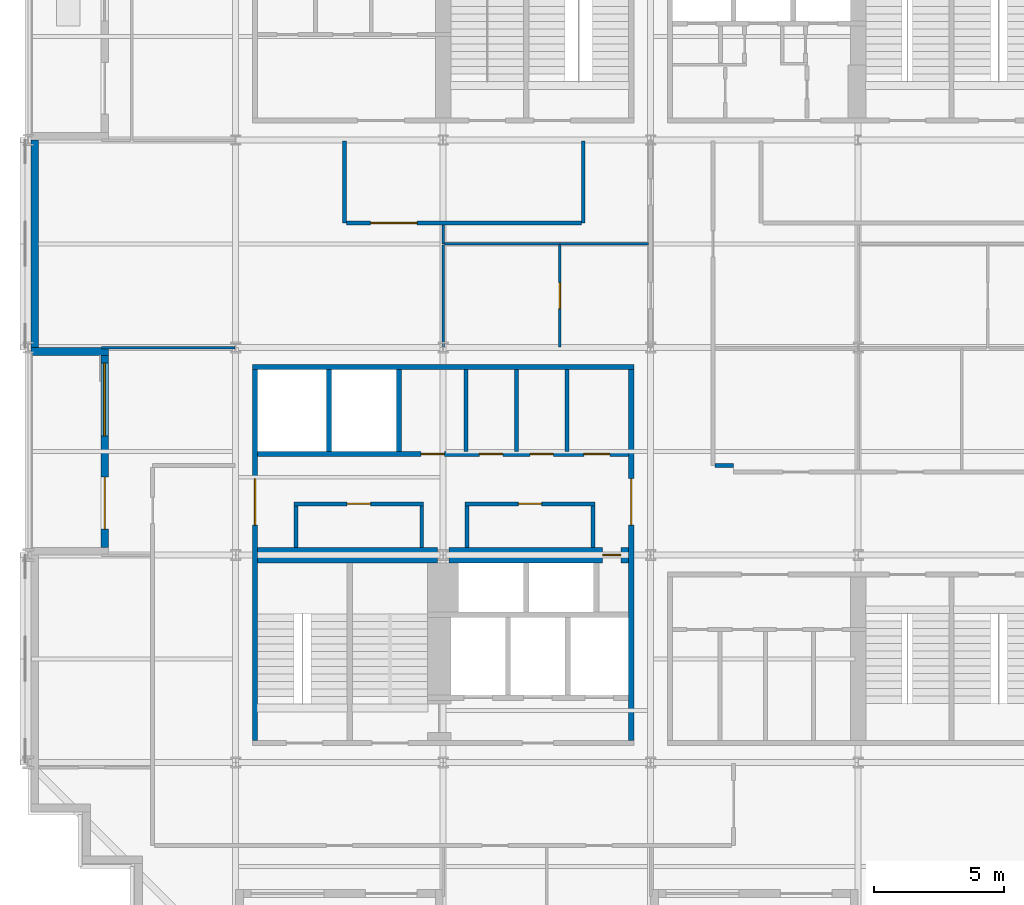
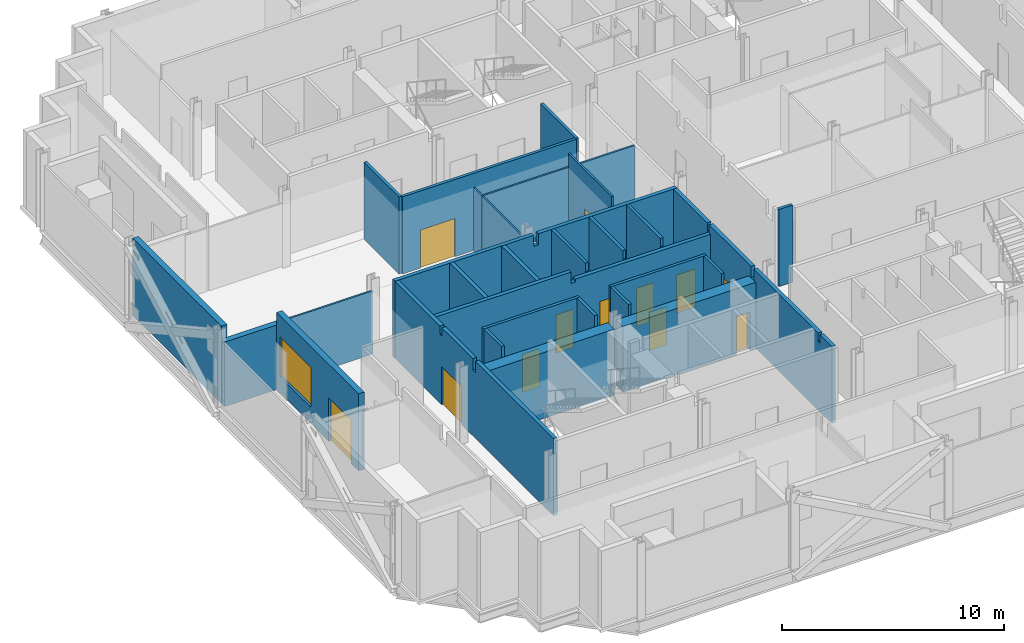
# One storey, part 7 of 15: 30 walls, 12 doors, 1 window, 13 openings.
"""IFC4 building model written with IfcOpenShell, lengths in metres."""

from ifc_helpers import new_model, si_unit, direction, frame, frame_2d, origin, place, context, subcontext, project, spatial, polyline, rectangle, outline, extrude, material, layer, layer_set, type_object, element, fill, save


model = new_model("IFC4")

# Units and contexts
model_context = context("Model", 3, precision=1e-05, world=origin(), true_north=direction((0.0, 1.0)))
body_context = subcontext(model_context, "Body", "Model", "MODEL_VIEW")
ifc_project = project(units=[si_unit("LENGTHUNIT", "METRE"), si_unit("AREAUNIT", "SQUARE_METRE"), si_unit("VOLUMEUNIT", "CUBIC_METRE"), si_unit("PLANEANGLEUNIT", "RADIAN"), si_unit("MASSUNIT", "GRAM", prefix="KILO")], contexts=[model_context])

# Site, building, storey
site_placement = place(None, origin())
site = spatial("IfcSite", under=ifc_project, at=site_placement, CompositionType="ELEMENT")
building_placement = place(site_placement, origin())
building = spatial("IfcBuilding", under=site, at=building_placement, Name="Immortelle Media Tower", CompositionType="ELEMENT")
storey_placement = place(building_placement, frame((0.0, 0.0, 87.60009765625)))
storey = spatial("IfcBuildingStorey", under=building, at=storey_placement, Name="L16", CompositionType="ELEMENT", Elevation=87.60009765625)

# Wall, opening, door
ifc_material_1 = material(Name="Fire-rated masonry blockwork", Category="masonry")
ifc_layer_1 = layer(ifc_material_1, 0.60009765625)
ifc_layer_set_1 = layer_set([ifc_layer_1], Name="Fire-rated masonry blockwork")
wall_type_1 = type_object("IfcWallType", Name="Core grid-line wall 600", PredefinedType="PARTITIONING", material=ifc_layer_set_1)
wall_1_placement = place(storey_placement, frame((16.218505859375, 16.0, 0.0), z_axis=(0.0, 0.0, 1.0), x_axis=(1.0, 0.0, 0.0)))
wall_1 = element("IfcWall", 1, at=wall_1_placement, inside=storey, type_object=wall_type_1, Name="Core grid-line wall SW", PredefinedType="PARTITIONING", context=body_context, shape_type="SweptSolid", body=[
    extrude(rectangle(XDim=6.931396484375, YDim=0.60009765625, at=frame_2d((3.4658203125, 0.0))), origin(), (0.0, 0.0, 1.0), 3.6318359375),
])
opening_1_placement = place(wall_1_placement, frame((6.63134765625, 0.0, 0.0), z_axis=(0.0, 0.0, 1.0), x_axis=(-1.0, 0.0, 0.0)))
opening_1 = element("IfcOpeningElement", 2, at=opening_1_placement, cuts=wall_1, Name="Opening N5-K015", PredefinedType="OPENING", context=body_context, shape_type="SweptSolid", body=[
    extrude(rectangle(XDim=0.699951171875, YDim=2.10009765625, at=frame_2d((0.35009765625, 1.050048828125))), frame((0.0, 0.31005859375, 0.0), z_axis=(0.0, -1.0, 0.0), x_axis=(1.0, 0.0, 0.0)), (0.0, 0.0, 1.0), 0.6201171875),
])
ifc_material_2 = material(Name="Galvanised steel door leaf and frame ASTM A653", Category="steel")
door_type_1 = type_object("IfcDoorType", Name="Service door 700 x 2100", OperationType="NOTDEFINED", PredefinedType="NOTDEFINED", material=ifc_material_2)
door_1_placement = place(opening_1_placement, origin())
door_1 = element("IfcDoor", 3, at=door_1_placement, inside=storey, type_object=door_type_1, Name="Service N5-K015", OperationType="SINGLE_SWING_LEFT", OverallHeight=2.10009765625, OverallWidth=0.699951171875, PredefinedType="NOTDEFINED", context=body_context, shape_type="SweptSolid", body=[
    extrude(rectangle(XDim=0.699951171875, YDim=2.10009765625, at=frame_2d((0.35009765625, 1.050048828125))), frame((0.0, 0.02490234375, 0.0), z_axis=(0.0, -1.0, 0.0), x_axis=(1.0, 0.0, 0.0)), (0.0, 0.0, 1.0), 0.050048828125),
])
fill(opening_1, door_1)

# Wall
ifc_material_3 = material(Name="Fire-rated gypsum board", Category="gypsum")
ifc_layer_2 = layer(ifc_material_3, 0.02490234375)
ifc_material_4 = material(Name="Steel ASTM A653 SS Gr 50 stud frame with mineral wool", Category="steel")
ifc_layer_3 = layer(ifc_material_4, 0.10009765625)
ifc_layer_4 = layer(ifc_material_3, 0.02490234375)
ifc_layer_set_2 = layer_set([ifc_layer_2, ifc_layer_3, ifc_layer_4], Name="Steel ASTM A653 SS Gr 50 stud frame with mineral wool")
wall_type_2 = type_object("IfcWallType", Name="Core partition 150", PredefinedType="PARTITIONING", material=ifc_layer_set_2)
wall_2_placement = place(storey_placement, frame((10.324951171875, 16.300048828125, 0.0), z_axis=(0.0, 0.0, 1.0), x_axis=(0.0, 1.0, 0.0)))
element("IfcWall", 4, at=wall_2_placement, inside=storey, type_object=wall_type_2, Name="Core partition SW", PredefinedType="PARTITIONING", context=body_context, shape_type="SweptSolid", body=[
    extrude(rectangle(XDim=1.599853515625, YDim=0.14990234375, at=frame_2d((0.7998046875, 0.0))), origin(), (0.0, 0.0, 1.0), 4.25),
])

# Wall, opening, door
wall_3_placement = place(storey_placement, frame((10.25, 17.97509765625, 0.0), z_axis=(0.0, 0.0, 1.0), x_axis=(1.0, 0.0, 0.0)))
wall_3 = element("IfcWall", 5, at=wall_3_placement, inside=storey, type_object=wall_type_2, Name="Core partition SW", PredefinedType="PARTITIONING", context=body_context, shape_type="SweptSolid", body=[
    extrude(rectangle(XDim=5.0, YDim=0.14990234375, at=frame_2d((2.5, 0.0))), origin(), (0.0, 0.0, 1.0), 4.25),
])
opening_2_placement = place(wall_3_placement, frame((2.949951171875, 0.0, 0.0), z_axis=(0.0, 0.0, 1.0), x_axis=(-1.0, 0.0, 0.0)))
opening_2 = element("IfcOpeningElement", 6, at=opening_2_placement, cuts=wall_3, Name="Opening N5-K003", PredefinedType="OPENING", context=body_context, shape_type="SweptSolid", body=[
    extrude(rectangle(XDim=0.89990234375, YDim=2.10009765625, at=frame_2d((0.449951171875, 1.050048828125))), frame((0.0, 0.0849609375, 0.0), z_axis=(0.0, -1.0, 0.0), x_axis=(1.0, 0.0, 0.0)), (0.0, 0.0, 1.0), 0.169921875),
])
ifc_material_5 = material(Name="Timber", Category="wood")
door_type_2 = type_object("IfcDoorType", Name="Room door 900 x 2100", OperationType="NOTDEFINED", PredefinedType="NOTDEFINED", material=ifc_material_5)
door_2_placement = place(opening_2_placement, origin())
door_2 = element("IfcDoor", 7, at=door_2_placement, inside=storey, type_object=door_type_2, Name="Room N5-K003", OperationType="SINGLE_SWING_LEFT", OverallHeight=2.10009765625, OverallWidth=0.89990234375, PredefinedType="NOTDEFINED", context=body_context, shape_type="SweptSolid", body=[
    extrude(rectangle(XDim=0.89990234375, YDim=2.10009765625, at=frame_2d((0.449951171875, 1.050048828125))), frame((0.0, 0.02490234375, 0.0), z_axis=(0.0, -1.0, 0.0), x_axis=(1.0, 0.0, 0.0)), (0.0, 0.0, 1.0), 0.050048828125),
])
fill(opening_2, door_2)

# Walls
wall_4_placement = place(storey_placement, frame((15.175048828125, 16.300048828125, 0.0), z_axis=(0.0, 0.0, 1.0), x_axis=(0.0, 1.0, 0.0)))
element("IfcWall", 8, at=wall_4_placement, inside=storey, type_object=wall_type_2, Name="Core partition SW", PredefinedType="PARTITIONING", context=body_context, shape_type="SweptSolid", body=[
    extrude(rectangle(XDim=1.599853515625, YDim=0.14990234375, at=frame_2d((0.7998046875, 0.0))), origin(), (0.0, 0.0, 1.0), 4.25),
])
wall_5_placement = place(storey_placement, frame((16.875, 20.0, 0.0), z_axis=(0.0, 0.0, 1.0), x_axis=(0.0, 1.0, 0.0)))
element("IfcWall", 9, at=wall_5_placement, inside=storey, type_object=wall_type_2, Name="Core partition SW", PredefinedType="PARTITIONING", context=body_context, shape_type="SweptSolid", body=[
    extrude(outline(polyline([(0.0, 0.0), (3.14990234375, 0.0), (3.14990234375, 4.25), (0.08154296875, 4.25), (0.08056640625, 3.788818359375), (0.0, 3.788818359375), (0.0, 0.0)])), frame((0.0, 0.074951171875, 0.0), z_axis=(0.0, -1.0, 0.0), x_axis=(1.0, 0.0, 0.0)), (0.0, 0.0, 1.0), 0.14990234375),
])
wall_6_placement = place(storey_placement, frame((16.925048828125, 16.300048828125, 0.0), z_axis=(0.0, 0.0, 1.0), x_axis=(0.0, 1.0, 0.0)))
element("IfcWall", 10, at=wall_6_placement, inside=storey, type_object=wall_type_2, Name="Core partition SW", PredefinedType="PARTITIONING", context=body_context, shape_type="SweptSolid", body=[
    extrude(rectangle(XDim=1.599853515625, YDim=0.14990234375, at=frame_2d((0.7998046875, 0.0))), origin(), (0.0, 0.0, 1.0), 4.25),
])

# Wall, opening, door
wall_7_placement = place(storey_placement, frame((16.85009765625, 17.97509765625, 0.0), z_axis=(0.0, 0.0, 1.0), x_axis=(1.0, 0.0, 0.0)))
wall_7 = element("IfcWall", 11, at=wall_7_placement, inside=storey, type_object=wall_type_2, Name="Core partition SW", PredefinedType="PARTITIONING", context=body_context, shape_type="SweptSolid", body=[
    extrude(rectangle(XDim=5.0, YDim=0.14990234375, at=frame_2d((2.5, 0.0))), origin(), (0.0, 0.0, 1.0), 4.25),
])
opening_3_placement = place(wall_7_placement, frame((2.949951171875, 0.0, 0.0), z_axis=(0.0, 0.0, 1.0), x_axis=(-1.0, 0.0, 0.0)))
opening_3 = element("IfcOpeningElement", 12, at=opening_3_placement, cuts=wall_7, Name="Opening N5-K009", PredefinedType="OPENING", context=body_context, shape_type="SweptSolid", body=[
    extrude(rectangle(XDim=0.89990234375, YDim=2.10009765625, at=frame_2d((0.449951171875, 1.050048828125))), frame((0.0, 0.0849609375, 0.0), z_axis=(0.0, -1.0, 0.0), x_axis=(1.0, 0.0, 0.0)), (0.0, 0.0, 1.0), 0.169921875),
])
door_3_placement = place(opening_3_placement, origin())
door_3 = element("IfcDoor", 13, at=door_3_placement, inside=storey, type_object=door_type_2, Name="Room N5-K009", OperationType="SINGLE_SWING_RIGHT", OverallHeight=2.10009765625, OverallWidth=0.89990234375, PredefinedType="NOTDEFINED", context=body_context, shape_type="SweptSolid", body=[
    extrude(rectangle(XDim=0.89990234375, YDim=2.10009765625, at=frame_2d((0.449951171875, 1.050048828125))), frame((0.0, 0.02490234375, 0.0), z_axis=(0.0, -1.0, 0.0), x_axis=(1.0, 0.0, 0.0)), (0.0, 0.0, 1.0), 0.050048828125),
])
fill(opening_3, door_3)

# Walls
for number, where, z_axis, x_axis, name in (
    (14, (18.824951171875, 20.0, 0.0), (0.0, 0.0, 1.0), (0.0, 1.0, 0.0), "Core partition SW"),
    (15, (20.77490234375, 20.0, 0.0), (0.0, 0.0, 1.0), (0.0, 1.0, 0.0), "Core partition SW"),
):
    element("IfcWall", number, at=place(storey_placement, frame(where, z_axis=z_axis, x_axis=x_axis)), inside=storey, type_object=wall_type_2, Name=name, PredefinedType="PARTITIONING", context=body_context, shape_type="SweptSolid", body=[
        extrude(outline(polyline([(0.0, 0.0), (3.14990234375, 0.0), (3.14990234375, 4.25), (0.08154296875, 4.25), (0.08056640625, 3.788818359375), (0.0, 3.788818359375), (0.0, 0.0)])), frame((0.0, 0.074951171875, 0.0), z_axis=(0.0, -1.0, 0.0), x_axis=(1.0, 0.0, 0.0)), (0.0, 0.0, 1.0), 0.14990234375),
    ])
wall_8_placement = place(storey_placement, frame((21.77490234375, 16.300048828125, 0.0), z_axis=(0.0, 0.0, 1.0), x_axis=(0.0, 1.0, 0.0)))
element("IfcWall", 16, at=wall_8_placement, inside=storey, type_object=wall_type_2, Name="Core partition SW", PredefinedType="PARTITIONING", context=body_context, shape_type="SweptSolid", body=[
    extrude(rectangle(XDim=1.599853515625, YDim=0.14990234375, at=frame_2d((0.7998046875, 0.0))), origin(), (0.0, 0.0, 1.0), 4.25),
])
ifc_layer_5 = layer(ifc_material_3, 0.03759765625)
ifc_layer_6 = layer(ifc_material_4, 0.125)
ifc_layer_7 = layer(ifc_material_3, 0.03759765625)
ifc_layer_set_3 = layer_set([ifc_layer_5, ifc_layer_6, ifc_layer_7], Name="Steel ASTM A653 SS Gr 50 stud frame with mineral wool")
wall_type_3 = type_object("IfcWallType", Name="Core shaft wall 200", PredefinedType="PARTITIONING", material=ifc_layer_set_3)
wall_9_placement = place(storey_placement, frame((8.64990234375, 23.25, 0.0), z_axis=(0.0, 0.0, 1.0), x_axis=(1.0, 0.0, 0.0)))
element("IfcWall", 17, at=wall_9_placement, inside=storey, type_object=wall_type_3, Name="Core shaft wall SW", PredefinedType="PARTITIONING", context=body_context, shape_type="SweptSolid", body=[
    extrude(outline(polyline([(0.0, 0.0), (14.7001953125, 0.0), (14.699951171875, 4.25), (7.469482421875, 4.25), (7.468505859375, 3.6318359375), (7.2314453125, 3.6318359375), (7.23046875, 4.25), (0.0, 4.25), (0.0, 0.0)])), frame((0.0, 0.10009765625, 0.0), z_axis=(0.0, -1.0, 0.0), x_axis=(1.0, 0.0, 0.0)), (0.0, 0.0, 1.0), 0.199951171875),
])

# Wall, openings, doors
wall_10_placement = place(storey_placement, frame((8.85009765625, 19.89990234375, 0.0), z_axis=(0.0, 0.0, 1.0), x_axis=(1.0, 0.0, 0.0)))
wall_10 = element("IfcWall", 18, at=wall_10_placement, inside=storey, type_object=wall_type_3, Name="Core shaft wall SW", PredefinedType="PARTITIONING", context=body_context, shape_type="SweptSolid", body=[
    extrude(outline(polyline([(0.0, 0.0), (14.2998046875, 0.0), (14.300048828125, 3.788818359375), (7.26953125, 3.788818359375), (7.2685546875, 3.6318359375), (7.031494140625, 3.6318359375), (7.030517578125, 4.25), (0.0, 4.25), (0.0, 0.0)])), frame((0.0, 0.10009765625, 0.0), z_axis=(0.0, -1.0, 0.0), x_axis=(1.0, 0.0, 0.0)), (0.0, 0.0, 1.0), 0.199951171875),
])
opening_4_placement = place(wall_10_placement, frame((6.300048828125, 0.0, 0.0)))
opening_4 = element("IfcOpeningElement", 19, at=opening_4_placement, cuts=wall_10, Name="Opening N5-K005", PredefinedType="OPENING", context=body_context, shape_type="SweptSolid", body=[
    extrude(rectangle(XDim=0.89990234375, YDim=2.10009765625, at=frame_2d((0.449951171875, 1.050048828125))), frame((0.0, 0.10986328125, 0.0), z_axis=(0.0, -1.0, 0.0), x_axis=(1.0, 0.0, 0.0)), (0.0, 0.0, 1.0), 0.219970703125),
])
opening_5_placement = place(wall_10_placement, frame((8.550048828125, 0.0, 0.0)))
opening_5 = element("IfcOpeningElement", 20, at=opening_5_placement, cuts=wall_10, Name="Opening N5-K008", PredefinedType="OPENING", context=body_context, shape_type="SweptSolid", body=[
    extrude(rectangle(XDim=0.89990234375, YDim=2.10009765625, at=frame_2d((0.449951171875, 1.050048828125))), frame((0.0, 0.10986328125, 0.0), z_axis=(0.0, -1.0, 0.0), x_axis=(1.0, 0.0, 0.0)), (0.0, 0.0, 1.0), 0.219970703125),
])
opening_6_placement = place(wall_10_placement, frame((10.5, 0.0, 0.0)))
opening_6 = element("IfcOpeningElement", 21, at=opening_6_placement, cuts=wall_10, Name="Opening N5-K012", PredefinedType="OPENING", context=body_context, shape_type="SweptSolid", body=[
    extrude(rectangle(XDim=0.89990234375, YDim=2.10009765625, at=frame_2d((0.449951171875, 1.050048828125))), frame((0.0, 0.10986328125, 0.0), z_axis=(0.0, -1.0, 0.0), x_axis=(1.0, 0.0, 0.0)), (0.0, 0.0, 1.0), 0.219970703125),
])
opening_7_placement = place(wall_10_placement, frame((12.574951171875, 0.0, 0.0)))
opening_7 = element("IfcOpeningElement", 22, at=opening_7_placement, cuts=wall_10, Name="Opening N5-K013", PredefinedType="OPENING", context=body_context, shape_type="SweptSolid", body=[
    extrude(rectangle(XDim=1.0, YDim=2.10009765625, at=frame_2d((0.5, 1.050048828125))), frame((0.0, 0.10986328125, 0.0), z_axis=(0.0, -1.0, 0.0), x_axis=(1.0, 0.0, 0.0)), (0.0, 0.0, 1.0), 0.219970703125),
])
door_type_3 = type_object("IfcDoorType", Name="Accessible toilet door 1000 x 2100", OperationType="NOTDEFINED", PredefinedType="NOTDEFINED", material=ifc_material_5)
door_4_placement = place(opening_7_placement, origin())
door_4 = element("IfcDoor", 23, at=door_4_placement, inside=storey, type_object=door_type_3, Name="Accessible toilet N5-K013", OperationType="SINGLE_SWING_RIGHT", OverallHeight=2.10009765625, OverallWidth=1.0, PredefinedType="NOTDEFINED", context=body_context, shape_type="SweptSolid", body=[
    extrude(rectangle(XDim=1.0, YDim=2.10009765625, at=frame_2d((0.5, 1.050048828125))), frame((0.0, 0.02490234375, 0.0), z_axis=(0.0, -1.0, 0.0), x_axis=(1.0, 0.0, 0.0)), (0.0, 0.0, 1.0), 0.050048828125),
])
fill(opening_7, door_4)
door_5_placement = place(opening_4_placement, origin())
door_5 = element("IfcDoor", 24, at=door_5_placement, inside=storey, type_object=door_type_2, Name="Room N5-K005", OperationType="SINGLE_SWING_RIGHT", OverallHeight=2.10009765625, OverallWidth=0.89990234375, PredefinedType="NOTDEFINED", context=body_context, shape_type="SweptSolid", body=[
    extrude(rectangle(XDim=0.89990234375, YDim=2.10009765625, at=frame_2d((0.449951171875, 1.050048828125))), frame((0.0, 0.02490234375, 0.0), z_axis=(0.0, -1.0, 0.0), x_axis=(1.0, 0.0, 0.0)), (0.0, 0.0, 1.0), 0.050048828125),
])
fill(opening_4, door_5)
door_type_4 = type_object("IfcDoorType", Name="Toilet door 900 x 2100", OperationType="NOTDEFINED", PredefinedType="NOTDEFINED", material=ifc_material_5)
door_6_placement = place(opening_5_placement, origin())
door_6 = element("IfcDoor", 25, at=door_6_placement, inside=storey, type_object=door_type_4, Name="Toilet N5-K008", OperationType="SINGLE_SWING_RIGHT", OverallHeight=2.10009765625, OverallWidth=0.89990234375, PredefinedType="NOTDEFINED", context=body_context, shape_type="SweptSolid", body=[
    extrude(rectangle(XDim=0.89990234375, YDim=2.10009765625, at=frame_2d((0.449951171875, 1.050048828125))), frame((0.0, 0.02490234375, 0.0), z_axis=(0.0, -1.0, 0.0), x_axis=(1.0, 0.0, 0.0)), (0.0, 0.0, 1.0), 0.050048828125),
])
fill(opening_5, door_6)
door_7_placement = place(opening_6_placement, origin())
door_7 = element("IfcDoor", 26, at=door_7_placement, inside=storey, type_object=door_type_4, Name="Toilet N5-K012", OperationType="SINGLE_SWING_LEFT", OverallHeight=2.10009765625, OverallWidth=0.89990234375, PredefinedType="NOTDEFINED", context=body_context, shape_type="SweptSolid", body=[
    extrude(rectangle(XDim=0.89990234375, YDim=2.10009765625, at=frame_2d((0.449951171875, 1.050048828125))), frame((0.0, 0.02490234375, 0.0), z_axis=(0.0, -1.0, 0.0), x_axis=(1.0, 0.0, 0.0)), (0.0, 0.0, 1.0), 0.050048828125),
])
fill(opening_6, door_7)

# Walls
for number, where, z_axis, x_axis, name in (
    (27, (11.60009765625, 20.0, 0.0), (0.0, 0.0, 1.0), (0.0, 1.0, 0.0), "Core shaft wall SW"),
    (28, (14.300048828125, 20.0, 0.0), (0.0, 0.0, 1.0), (0.0, 1.0, 0.0), "Core shaft wall SW"),
):
    element("IfcWall", number, at=place(storey_placement, frame(where, z_axis=z_axis, x_axis=x_axis)), inside=storey, type_object=wall_type_3, Name=name, PredefinedType="PARTITIONING", context=body_context, shape_type="SweptSolid", body=[
        extrude(rectangle(XDim=3.14990234375, YDim=0.199951171875, at=frame_2d((1.574951171875, 0.0))), origin(), (0.0, 0.0, 1.0), 4.25),
    ])

# Wall, opening, door
wall_11_placement = place(storey_placement, frame((23.25, 8.85009765625, 0.0), z_axis=(0.0, 0.0, 1.0), x_axis=(0.0, 1.0, 0.0)))
wall_11 = element("IfcWall", 29, at=wall_11_placement, inside=storey, type_object=wall_type_3, Name="Core shaft wall SW", PredefinedType="PARTITIONING", context=body_context, shape_type="SweptSolid", body=[
    extrude(outline(polyline([(0.0, 0.0), (14.2998046875, 0.0), (14.300048828125, 4.25), (11.2314453125, 4.25), (11.23046875, 3.788818359375), (11.069580078125, 3.788818359375), (11.068603515625, 4.25), (7.26953125, 4.25), (7.2685546875, 3.6318359375), (7.031494140625, 3.6318359375), (7.030517578125, 4.25), (1.2314453125, 4.25), (1.23046875, 3.788818359375), (1.069580078125, 3.788818359375), (1.068603515625, 4.25), (0.0, 4.25), (0.0, 0.0)])), frame((0.0, 0.10009765625, 0.0), z_axis=(0.0, -1.0, 0.0), x_axis=(1.0, 0.0, 0.0)), (0.0, 0.0, 1.0), 0.199951171875),
])
opening_8_placement = place(wall_11_placement, frame((8.300048828125, 0.0, 0.0)))
opening_8 = element("IfcOpeningElement", 30, at=opening_8_placement, cuts=wall_11, Name="Opening N5-K016", PredefinedType="OPENING", context=body_context, shape_type="SweptSolid", body=[
    extrude(rectangle(XDim=1.800048828125, YDim=2.10009765625, at=frame_2d((0.89990234375, 1.050048828125))), frame((0.0, 0.10986328125, 0.0), z_axis=(0.0, -1.0, 0.0), x_axis=(1.0, 0.0, 0.0)), (0.0, 0.0, 1.0), 0.219970703125),
])
door_type_5 = type_object("IfcDoorType", Name="Lift lobby door 1800 x 2100", OperationType="DOUBLE_DOOR_SINGLE_SWING", PredefinedType="NOTDEFINED", material=ifc_material_2)
door_8_placement = place(opening_8_placement, origin())
door_8 = element("IfcDoor", 31, at=door_8_placement, inside=storey, type_object=door_type_5, Name="Lift lobby N5-K016", OperationType="DOUBLE_DOOR_SINGLE_SWING", OverallHeight=2.10009765625, OverallWidth=1.800048828125, PredefinedType="NOTDEFINED", context=body_context, shape_type="SweptSolid", body=[
    extrude(rectangle(XDim=1.800048828125, YDim=2.10009765625, at=frame_2d((0.89990234375, 1.050048828125))), frame((0.0, 0.02490234375, 0.0), z_axis=(0.0, -1.0, 0.0), x_axis=(1.0, 0.0, 0.0)), (0.0, 0.0, 1.0), 0.050048828125),
])
fill(opening_8, door_8)

# Wall
ifc_layer_8 = layer(ifc_material_3, 0.012451171875)
ifc_layer_9 = layer(ifc_material_4, 0.125)
ifc_layer_10 = layer(ifc_material_3, 0.012451171875)
ifc_layer_set_4 = layer_set([ifc_layer_8, ifc_layer_9, ifc_layer_10], Name="Steel ASTM A653 SS Gr 50 stud frame with mineral wool")
wall_type_4 = type_object("IfcWallType", Name="Corridor wall 150", PredefinedType="PARTITIONING", material=ifc_layer_set_4)
wall_12_placement = place(storey_placement, frame((26.47509765625, 19.449951171875, 0.0), z_axis=(0.0, 0.0, 1.0), x_axis=(1.0, 0.0, 0.0)))
element("IfcWall", 32, at=wall_12_placement, inside=storey, type_object=wall_type_4, Name="Partition L16-019", PredefinedType="PARTITIONING", context=body_context, shape_type="SweptSolid", body=[
    extrude(rectangle(XDim=0.724853515625, YDim=0.14990234375, at=frame_2d((0.3623046875, 0.0))), origin(), (0.0, 0.0, 1.0), 4.25),
])

# Wall, opening, door
wall_13_placement = place(storey_placement, frame((12.27490234375, 28.800048828125, 0.0), z_axis=(0.0, 0.0, 1.0), x_axis=(1.0, 0.0, 0.0)))
wall_13 = element("IfcWall", 33, at=wall_13_placement, inside=storey, type_object=wall_type_4, Name="Partition L16-038", PredefinedType="PARTITIONING", context=body_context, shape_type="SweptSolid", body=[
    extrude(rectangle(XDim=9.050048828125, YDim=0.14990234375, at=frame_2d((4.52490234375, 0.0))), origin(), (0.0, 0.0, 1.0), 4.25),
])
opening_9_placement = place(wall_13_placement, frame((0.925048828125, 0.0, 0.0)))
opening_9 = element("IfcOpeningElement", 34, at=opening_9_placement, cuts=wall_13, Name="Opening N5-F021", PredefinedType="OPENING", context=body_context, shape_type="SweptSolid", body=[
    extrude(rectangle(XDim=1.800048828125, YDim=2.10009765625, at=frame_2d((0.89990234375, 1.050048828125))), frame((0.0, 0.0849609375, 0.0), z_axis=(0.0, -1.0, 0.0), x_axis=(1.0, 0.0, 0.0)), (0.0, 0.0, 1.0), 0.169921875),
])
ifc_material_6 = material(Name="Timber veneered door leaf, galvanised steel frame ASTM A653", Category="steel")
door_type_6 = type_object("IfcDoorType", Name="Room door 1800 x 2100", OperationType="DOUBLE_DOOR_SINGLE_SWING", PredefinedType="DOOR", material=ifc_material_6)
door_9_placement = place(opening_9_placement, origin())
door_9 = element("IfcDoor", 35, at=door_9_placement, inside=storey, type_object=door_type_6, Name="Door N5-F021", OperationType="DOUBLE_DOOR_SINGLE_SWING", OverallHeight=2.10009765625, OverallWidth=1.800048828125, PredefinedType="DOOR", context=body_context, shape_type="SweptSolid", body=[
    extrude(rectangle(XDim=1.800048828125, YDim=2.10009765625, at=frame_2d((0.89990234375, 1.050048828125))), frame((0.0, 0.02490234375, 0.0), z_axis=(0.0, -1.0, 0.0), x_axis=(1.0, 0.0, 0.0)), (0.0, 0.0, 1.0), 0.050048828125),
])
fill(opening_9, door_9)

# Walls
for number, where, z_axis, x_axis, name in (
    (36, (12.199951171875, 28.800048828125, 0.0), (0.0, 0.0, 1.0), (0.0, 1.0, 0.0), "Partition L16-039"),
    (37, (21.39990234375, 28.800048828125, 0.0), (0.0, 0.0, 1.0), (0.0, 1.0, 0.0), "Partition L16-040"),
):
    element("IfcWall", number, at=place(storey_placement, frame(where, z_axis=z_axis, x_axis=x_axis)), inside=storey, type_object=wall_type_4, Name=name, PredefinedType="PARTITIONING", context=body_context, shape_type="SweptSolid", body=[
        extrude(rectangle(XDim=3.169921875, YDim=0.14990234375, at=frame_2d((1.5849609375, 0.0))), origin(), (0.0, 0.0, 1.0), 4.25),
    ])
ifc_material_7 = material(Name="Pale aluminium cladding panel", Category="aluminium")
ifc_layer_11 = layer(ifc_material_7, 0.030029296875)
ifc_layer_12 = layer(ifc_material_4, 0.257568359375)
ifc_material_8 = material(Name="Moisture-resistant gypsum board", Category="gypsum")
ifc_layer_13 = layer(ifc_material_8, 0.012451171875)
ifc_layer_set_5 = layer_set([ifc_layer_11, ifc_layer_12, ifc_layer_13], Name="Steel ASTM A653 SS Gr 50 stud frame with mineral wool")
wall_type_5 = type_object("IfcWallType", Name="Facade wall 300", PredefinedType="SOLIDWALL", material=ifc_layer_set_5)
wall_14_placement = place(storey_placement, frame((0.25, 32.0, 0.0), z_axis=(0.0, 0.0, 1.0), x_axis=(0.0, -1.0, 0.0)))
element("IfcWall", 38, at=wall_14_placement, inside=storey, type_object=wall_type_5, Name="Facade wall L16 W0", PredefinedType="SOLIDWALL", context=body_context, shape_type="SweptSolid", body=[
    extrude(rectangle(XDim=8.0, YDim=0.300048828125, at=frame_2d((4.0, 0.0))), origin(), (0.0, 0.0, 1.0), 4.25),
])

# Wall, openings, door, window
wall_15_placement = place(storey_placement, frame((2.949951171875, 23.699951171875, 0.0), z_axis=(0.0, 0.0, 1.0), x_axis=(0.0, -1.0, 0.0)))
wall_15 = element("IfcWall", 39, at=wall_15_placement, inside=storey, type_object=wall_type_5, Name="Loggia wall L16 W0", PredefinedType="SOLIDWALL", context=body_context, shape_type="SweptSolid", body=[
    extrude(rectangle(XDim=7.39990234375, YDim=0.300048828125, at=frame_2d((3.699951171875, 0.0))), origin(), (0.0, 0.0, 1.0), 4.25),
])
opening_10_placement = place(wall_15_placement, frame((0.300048828125, 0.0, 0.89990234375)))
opening_10 = element("IfcOpeningElement", 40, at=opening_10_placement, cuts=wall_15, Name="Opening W1", PredefinedType="OPENING", context=body_context, shape_type="SweptSolid", body=[
    extrude(rectangle(XDim=2.800048828125, YDim=2.199951171875, at=frame_2d((1.39990234375, 1.10009765625))), frame((0.0, 0.159912109375, 0.0), z_axis=(0.0, -1.0, 0.0), x_axis=(1.0, 0.0, 0.0)), (0.0, 0.0, 1.0), 0.320068359375),
])
opening_11_placement = place(wall_15_placement, frame((4.699951171875, 0.0, 0.0)))
opening_11 = element("IfcOpeningElement", 41, at=opening_11_placement, cuts=wall_15, Name="Opening N5-E002", PredefinedType="OPENING", context=body_context, shape_type="SweptSolid", body=[
    extrude(rectangle(XDim=2.0, YDim=2.39990234375, at=frame_2d((1.0, 1.199951171875))), frame((0.0, 0.159912109375, 0.0), z_axis=(0.0, -1.0, 0.0), x_axis=(1.0, 0.0, 0.0)), (0.0, 0.0, 1.0), 0.320068359375),
])
ifc_material_9 = material(Name="Aluminium frame, glazed leaves", Category="aluminium")
door_type_7 = type_object("IfcDoorType", Name="Loggia door 2000 x 2400", OperationType="DOUBLE_DOOR_SINGLE_SWING", PredefinedType="DOOR", material=ifc_material_9)
door_10_placement = place(opening_11_placement, origin())
door_10 = element("IfcDoor", 42, at=door_10_placement, inside=storey, type_object=door_type_7, Name="Door N5-E002", OperationType="DOUBLE_DOOR_SINGLE_SWING", OverallHeight=2.39990234375, OverallWidth=2.0, PredefinedType="DOOR", context=body_context, shape_type="SweptSolid", body=[
    extrude(rectangle(XDim=2.0, YDim=2.39990234375, at=frame_2d((1.0, 1.199951171875))), frame((0.0, 0.02490234375, 0.0), z_axis=(0.0, -1.0, 0.0), x_axis=(1.0, 0.0, 0.0)), (0.0, 0.0, 1.0), 0.050048828125),
])
fill(opening_11, door_10)
ifc_material_10 = material(Name="Aluminium frame", Category="aluminium")
window_type = type_object("IfcWindowType", Name="Window 2800 x 2200", PartitioningType="SINGLE_PANEL", PredefinedType="WINDOW", material=ifc_material_10)
window_placement = place(opening_10_placement, origin())
window = element("IfcWindow", 43, at=window_placement, inside=storey, type_object=window_type, Name="Window L16 L16-R0-B2", OverallHeight=2.199951171875, OverallWidth=2.800048828125, PartitioningType="SINGLE_PANEL", PredefinedType="WINDOW", context=body_context, shape_type="SweptSolid", body=[
    extrude(rectangle(XDim=2.800048828125, YDim=2.199951171875, at=frame_2d((1.39990234375, 1.10009765625))), frame((0.0, 0.030029296875, 0.0), z_axis=(0.0, -1.0, 0.0), x_axis=(1.0, 0.0, 0.0)), (0.0, 0.0, 1.0), 0.06005859375),
])
fill(opening_10, window)

# Walls
wall_16_placement = place(storey_placement, frame((0.10009765625, 23.85009765625, 0.0), z_axis=(0.0, 0.0, 1.0), x_axis=(1.0, 0.0, 0.0)))
element("IfcWall", 44, at=wall_16_placement, inside=storey, type_object=wall_type_5, Name="Loggia cheek wall L16 W", PredefinedType="SOLIDWALL", context=body_context, shape_type="SweptSolid", body=[
    extrude(rectangle(XDim=3.0, YDim=0.300048828125, at=frame_2d((1.5, 0.0))), origin(), (0.0, 0.0, 1.0), 3.555908203125),
])
ifc_material_11 = material(Name="Gypsum board", Category="gypsum")
ifc_layer_14 = layer(ifc_material_11, 0.012451171875)
ifc_layer_15 = layer(ifc_material_4, 0.074951171875)
ifc_layer_16 = layer(ifc_material_11, 0.012451171875)
ifc_layer_set_6 = layer_set([ifc_layer_14, ifc_layer_15, ifc_layer_16], Name="Steel ASTM A653 SS Gr 50 stud frame with mineral wool")
wall_type_6 = type_object("IfcWallType", Name="Partition 100", PredefinedType="PARTITIONING", material=ifc_layer_set_6)
wall_17_placement = place(storey_placement, frame((2.830078125, 24.0, 0.0), z_axis=(0.0, 0.0, 1.0), x_axis=(1.0, 0.0, 0.0)))
element("IfcWall", 45, at=wall_17_placement, inside=storey, type_object=wall_type_6, Name="Partition L16-022", PredefinedType="PARTITIONING", context=body_context, shape_type="SweptSolid", body=[
    extrude(rectangle(XDim=5.139892578125, YDim=0.10009765625, at=frame_2d((2.56982421875, 0.0))), origin(), (0.0, 0.0, 1.0), 3.469970703125),
])
wall_18_placement = place(storey_placement, frame((16.0, 24.030029296875, 0.0), z_axis=(0.0, 0.0, 1.0), x_axis=(0.0, 1.0, 0.0)))
element("IfcWall", 46, at=wall_18_placement, inside=storey, type_object=wall_type_6, Name="Partition L16-029", PredefinedType="PARTITIONING", context=body_context, shape_type="SweptSolid", body=[
    extrude(rectangle(XDim=3.919921875, YDim=0.10009765625, at=frame_2d((1.9599609375, 0.0))), origin(), (0.0, 0.0, 1.0), 3.469970703125),
])

# Wall, opening, door
wall_19_placement = place(storey_placement, frame((20.5, 24.030029296875, 0.0), z_axis=(0.0, 0.0, 1.0), x_axis=(0.0, 1.0, 0.0)))
wall_19 = element("IfcWall", 47, at=wall_19_placement, inside=storey, type_object=wall_type_6, Name="Partition L16-030", PredefinedType="PARTITIONING", context=body_context, shape_type="SweptSolid", body=[
    extrude(rectangle(XDim=3.919921875, YDim=0.10009765625, at=frame_2d((1.9599609375, 0.0))), origin(), (0.0, 0.0, 1.0), 4.25),
])
opening_12_placement = place(wall_19_placement, frame((1.469970703125, 0.0, 0.0)))
opening_12 = element("IfcOpeningElement", 48, at=opening_12_placement, cuts=wall_19, Name="Opening N5-F018", PredefinedType="OPENING", context=body_context, shape_type="SweptSolid", body=[
    extrude(rectangle(XDim=1.0, YDim=2.10009765625, at=frame_2d((0.5, 1.050048828125))), frame((0.0, 0.06005859375, 0.0), z_axis=(0.0, -1.0, 0.0), x_axis=(1.0, 0.0, 0.0)), (0.0, 0.0, 1.0), 0.1201171875),
])
door_type_8 = type_object("IfcDoorType", Name="Room door 1000 x 2100", OperationType="NOTDEFINED", PredefinedType="DOOR", material=ifc_material_6)
door_11_placement = place(opening_12_placement, origin())
door_11 = element("IfcDoor", 49, at=door_11_placement, inside=storey, type_object=door_type_8, Name="Door N5-F018", OperationType="SINGLE_SWING_LEFT", OverallHeight=2.10009765625, OverallWidth=1.0, PredefinedType="DOOR", context=body_context, shape_type="SweptSolid", body=[
    extrude(rectangle(XDim=1.0, YDim=2.10009765625, at=frame_2d((0.5, 1.050048828125))), frame((0.0, 0.02490234375, 0.0), z_axis=(0.0, -1.0, 0.0), x_axis=(1.0, 0.0, 0.0)), (0.0, 0.0, 1.0), 0.050048828125),
])
fill(opening_12, door_11)

# Walls
wall_20_placement = place(storey_placement, frame((16.050048828125, 28.0, 0.0), z_axis=(0.0, 0.0, 1.0), x_axis=(1.0, 0.0, 0.0)))
element("IfcWall", 50, at=wall_20_placement, inside=storey, type_object=wall_type_6, Name="Partition L16-032", PredefinedType="PARTITIONING", context=body_context, shape_type="SweptSolid", body=[
    extrude(rectangle(XDim=4.449951171875, YDim=0.10009765625, at=frame_2d((2.22509765625, 0.0))), origin(), (0.0, 0.0, 1.0), 3.469970703125),
])
wall_21_placement = place(storey_placement, frame((16.0, 28.0, 0.0), z_axis=(0.0, 0.0, 1.0), x_axis=(0.0, 1.0, 0.0)))
element("IfcWall", 51, at=wall_21_placement, inside=storey, type_object=wall_type_6, Name="Partition L16-033", PredefinedType="PARTITIONING", context=body_context, shape_type="SweptSolid", body=[
    extrude(rectangle(XDim=0.72509765625, YDim=0.10009765625, at=frame_2d((0.362548828125, 0.0))), origin(), (0.0, 0.0, 1.0), 3.469970703125),
])
wall_22_placement = place(storey_placement, frame((20.5, 28.0, 0.0), z_axis=(0.0, 0.0, 1.0), x_axis=(1.0, 0.0, 0.0)))
element("IfcWall", 52, at=wall_22_placement, inside=storey, type_object=wall_type_6, Name="Partition L16-034", PredefinedType="PARTITIONING", context=body_context, shape_type="SweptSolid", body=[
    extrude(rectangle(XDim=3.425048828125, YDim=0.10009765625, at=frame_2d((1.71240234375, 0.0))), origin(), (0.0, 0.0, 1.0), 3.469970703125),
])

# Wall, opening, door
ifc_material_12 = material(Name="Concrete C60", Category="concrete")
ifc_layer_17 = layer(ifc_material_12, 0.199951171875)
ifc_layer_set_7 = layer_set([ifc_layer_17], Name="Concrete C60")
wall_type_7 = type_object("IfcWallType", Name="Stair shaft wall 200", PredefinedType="PARTITIONING", material=ifc_layer_set_7)
wall_23_placement = place(storey_placement, frame((8.75, 8.85009765625, 0.0), z_axis=(0.0, 0.0, 1.0), x_axis=(0.0, 1.0, 0.0)))
wall_23 = element("IfcWall", 53, at=wall_23_placement, inside=storey, type_object=wall_type_7, Name="Stair shaft wall SW", PredefinedType="PARTITIONING", context=body_context, shape_type="SweptSolid", body=[
    extrude(outline(polyline([(0.0, 0.0), (14.2998046875, 0.0), (14.300048828125, 4.25), (10.2314453125, 4.25), (10.23046875, 3.788818359375), (10.069580078125, 3.788818359375), (10.068603515625, 4.25), (7.26953125, 4.25), (7.2685546875, 3.6318359375), (7.031494140625, 3.6318359375), (7.030517578125, 4.25), (0.0, 4.25), (0.0, 0.0)])), frame((0.0, 0.10009765625, 0.0), z_axis=(0.0, -1.0, 0.0), x_axis=(1.0, 0.0, 0.0)), (0.0, 0.0, 1.0), 0.199951171875),
])
opening_13_placement = place(wall_23_placement, frame((8.300048828125, 0.0, 0.0)))
opening_13 = element("IfcOpeningElement", 54, at=opening_13_placement, cuts=wall_23, Name="Opening N5-K001", PredefinedType="OPENING", context=body_context, shape_type="SweptSolid", body=[
    extrude(rectangle(XDim=1.800048828125, YDim=2.10009765625, at=frame_2d((0.89990234375, 1.050048828125))), frame((0.0, 0.10986328125, 0.0), z_axis=(0.0, -1.0, 0.0), x_axis=(1.0, 0.0, 0.0)), (0.0, 0.0, 1.0), 0.219970703125),
])
door_12_placement = place(opening_13_placement, origin())
door_12 = element("IfcDoor", 55, at=door_12_placement, inside=storey, type_object=door_type_5, Name="Lift lobby N5-K001", OperationType="DOUBLE_DOOR_SINGLE_SWING", OverallHeight=2.10009765625, OverallWidth=1.800048828125, PredefinedType="NOTDEFINED", context=body_context, shape_type="SweptSolid", body=[
    extrude(rectangle(XDim=1.800048828125, YDim=2.10009765625, at=frame_2d((0.89990234375, 1.050048828125))), frame((0.0, 0.02490234375, 0.0), z_axis=(0.0, -1.0, 0.0), x_axis=(1.0, 0.0, 0.0)), (0.0, 0.0, 1.0), 0.050048828125),
])
fill(opening_13, door_12)

# Wall
ifc_layer_18 = layer(ifc_material_12, 0.60009765625)
ifc_layer_set_8 = layer_set([ifc_layer_18], Name="Concrete C60")
wall_type_8 = type_object("IfcWallType", Name="Stair shaft wall 600", PredefinedType="PARTITIONING", material=ifc_layer_set_8)
wall_24_placement = place(storey_placement, frame((8.85009765625, 16.0, 0.0), z_axis=(0.0, 0.0, 1.0), x_axis=(1.0, 0.0, 0.0)))
element("IfcWall", 56, at=wall_24_placement, inside=storey, type_object=wall_type_8, Name="Stair shaft wall SW", PredefinedType="PARTITIONING", context=body_context, shape_type="SweptSolid", body=[
    extrude(rectangle(XDim=6.931396484375, YDim=0.60009765625, at=frame_2d((3.4658203125, 0.0))), origin(), (0.0, 0.0, 1.0), 3.6318359375),
])

save(model, "model.ifc")
